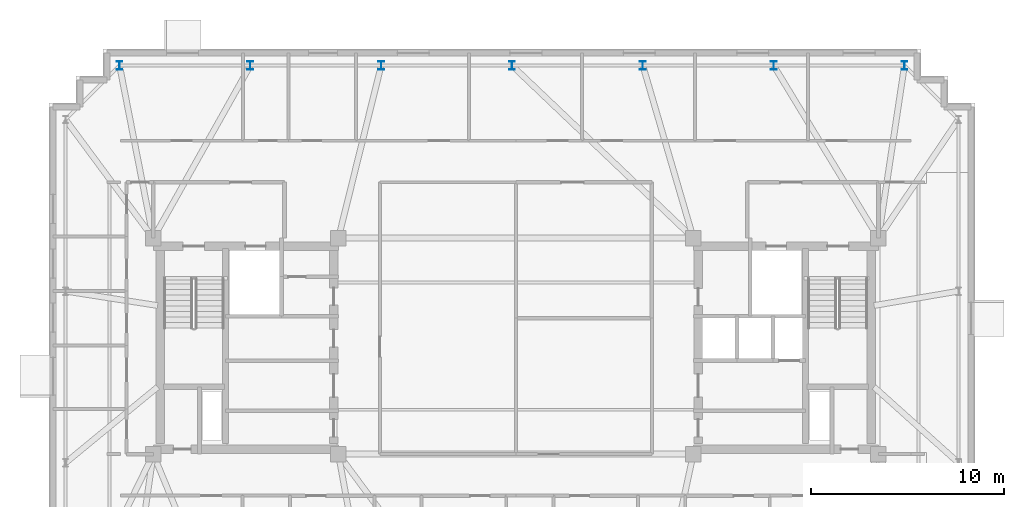
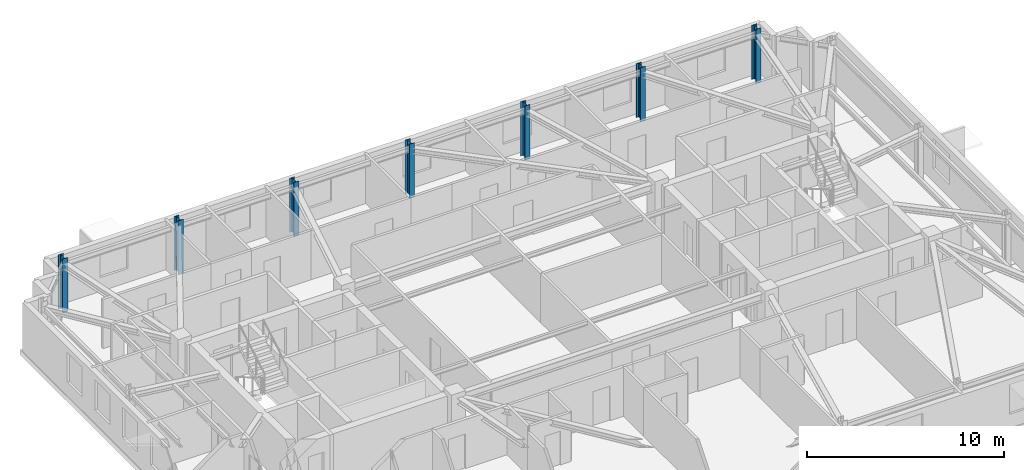
# One storey, part 3 of 11: 7 columns.
"""IFC4 building model written with IfcOpenShell, lengths in metres."""

from ifc_helpers import new_model, si_unit, direction, frame, origin, origin_2d, place, context, subcontext, project, spatial, i_section, extrude, material, material_profile, profile_set, type_object, element, save


model = new_model("IFC4")

# Units and contexts
model_context = context("Model", 3, precision=1e-05, world=origin(), true_north=direction((0.0, 1.0)))
body_context = subcontext(model_context, "Body", "Model", "MODEL_VIEW")
ifc_project = project(units=[si_unit("LENGTHUNIT", "METRE"), si_unit("AREAUNIT", "SQUARE_METRE"), si_unit("VOLUMEUNIT", "CUBIC_METRE"), si_unit("PLANEANGLEUNIT", "RADIAN"), si_unit("MASSUNIT", "GRAM", prefix="KILO")], contexts=[model_context])

# Site, building, storey
site_placement = place(None, origin())
site = spatial("IfcSite", under=ifc_project, at=site_placement, CompositionType="ELEMENT")
building_placement = place(site_placement, origin())
building = spatial("IfcBuilding", under=site, at=building_placement, Name="Qobustan Lattice House", CompositionType="ELEMENT")
storey_placement = place(building_placement, frame((0.0, 0.0, 248.39990234375)))
storey = spatial("IfcBuildingStorey", under=building, at=storey_placement, Name="L70", CompositionType="ELEMENT", Elevation=248.39990234375)

# Columns
ifc_material = material(Name="Steel S355", Category="steel")
ifc_material_profile = material_profile(ifc_material, i_section(OverallWidth=0.300048828125, OverallDepth=0.449951171875, WebThickness=0.013916015625, FlangeThickness=0.02587890625, FilletRadius=0.027099609375, at=origin_2d()), Name="HEB450")
ifc_profile_set = profile_set([ifc_material_profile], Name="Steel S355")
column_type = type_object("IfcColumnType", Name="COL-ST-HEB450", PredefinedType="COLUMN", material=ifc_profile_set)
for number, where, z_axis, x_axis, name in (
    (1, (20.14990234375, 14.550048828125, 0.0), (0.0, 0.0, 1.0), (1.0, 0.0, 0.0), "L70 B5 perimeter column N1"),
    (2, (13.36669921875, 14.550048828125, 0.0), (0.0, 0.0, 1.0), (1.0, 0.0, 0.0), "L70 B5 perimeter column N2"),
    (3, (6.583251953125, 14.550048828125, 0.0), (0.0, 0.0, 1.0), (1.0, 0.0, 0.0), "L70 B5 perimeter column N3"),
    (4, (-0.199951171875, 14.550048828125, 0.0), (0.0, 0.0, 1.0), (1.0, 0.0, 0.0), "L70 B5 perimeter column N4"),
    (5, (-6.9833984375, 14.550048828125, 0.0), (0.0, 0.0, 1.0), (1.0, 0.0, 0.0), "L70 B5 perimeter column N5"),
    (6, (-13.7666015625, 14.550048828125, 0.0), (0.0, 0.0, 1.0), (1.0, 0.0, 0.0), "L70 B5 perimeter column N6"),
    (7, (-20.550048828125, 14.550048828125, 0.0), (0.0, 0.0, 1.0), (1.0, 0.0, 0.0), "L70 B5 perimeter column N7"),
):
    element("IfcColumn", number, at=place(storey_placement, frame(where, z_axis=z_axis, x_axis=x_axis)), inside=storey, type_object=column_type, Name=name, PredefinedType="COLUMN", context=body_context, shape_type="SweptSolid", body=[
        extrude(i_section(OverallWidth=0.300048828125, OverallDepth=0.449951171875, WebThickness=0.013916015625, FlangeThickness=0.02587890625, FilletRadius=0.027099609375, at=origin_2d()), origin(), (0.0, 0.0, 1.0), 3.35009765625),
    ])

save(model, "model.ifc")
